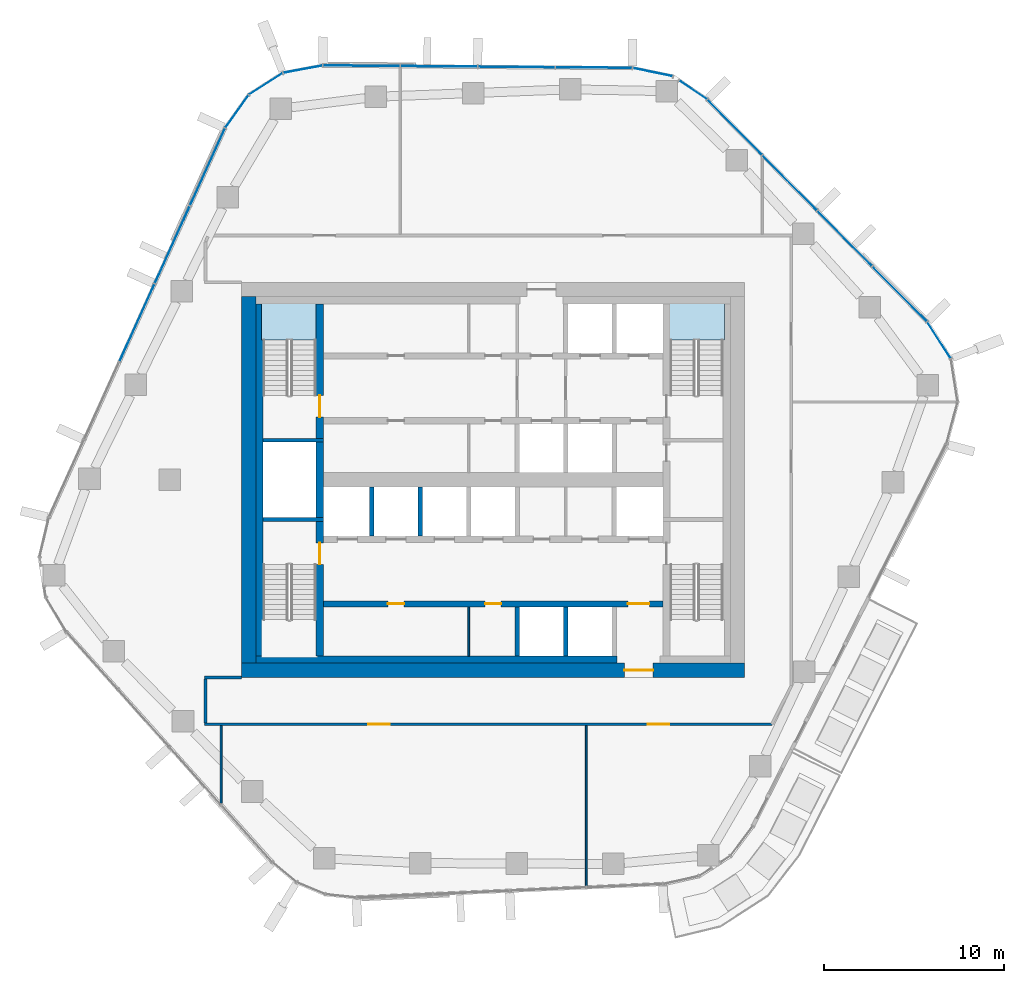
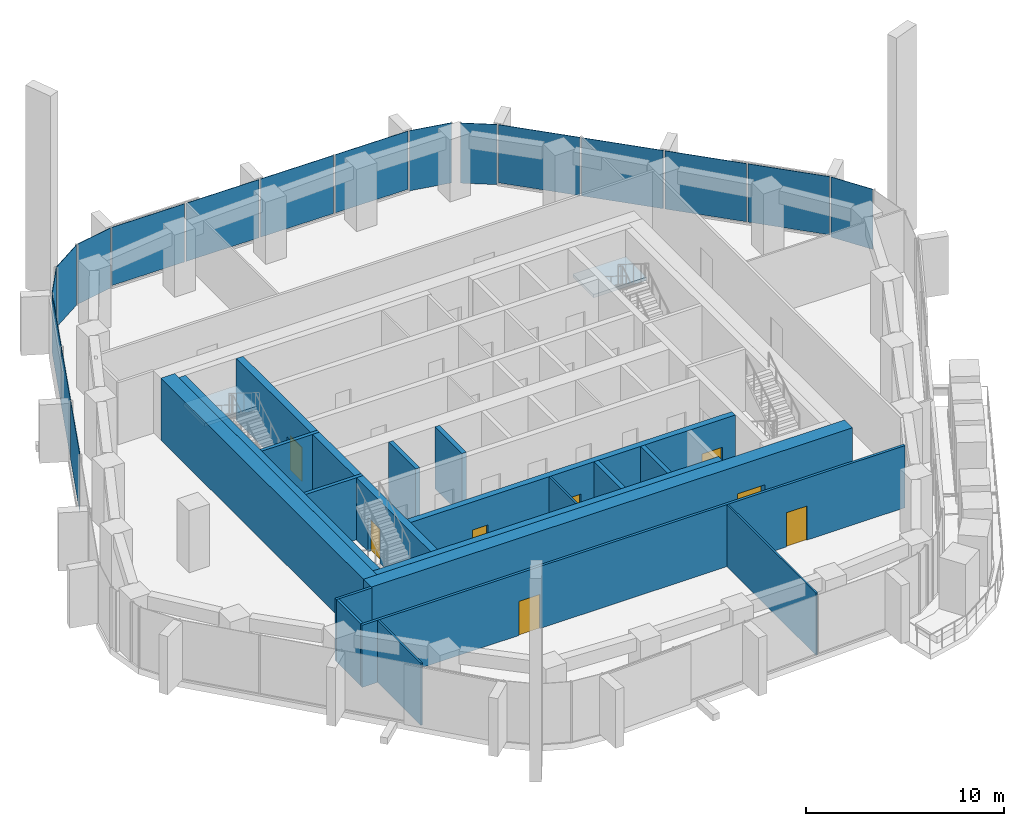
# One storey, part 10 of 18: 20 walls, 17 plates, 8 doors, 2 slabs, 8 openings, 9 elements without a shape of their own.
"""IFC4 building model written with IfcOpenShell, lengths in metres."""

from ifc_helpers import new_model, si_unit, direction, frame, frame_2d, origin, origin_2d, place, context, subcontext, project, spatial, polyline, rectangle, outline, extrude, material, layer, layer_set, type_object, element, fill, aggregate, save


model = new_model("IFC4")

# Units and contexts
model_context = context("Model", 3, precision=1e-05, world=origin(), true_north=direction((0.0, 1.0)))
body_context = subcontext(model_context, "Body", "Model", "MODEL_VIEW")
ifc_project = project(units=[si_unit("LENGTHUNIT", "METRE"), si_unit("AREAUNIT", "SQUARE_METRE"), si_unit("VOLUMEUNIT", "CUBIC_METRE"), si_unit("PLANEANGLEUNIT", "RADIAN"), si_unit("MASSUNIT", "GRAM", prefix="KILO")], contexts=[model_context])

# Site, building, storey
site_placement = place(None, origin())
site = spatial("IfcSite", under=ifc_project, at=site_placement, CompositionType="ELEMENT")
building_placement = place(site_placement, origin())
building = spatial("IfcBuilding", under=site, at=building_placement, Name="Dongbaek Canopy Tower", CompositionType="ELEMENT")
storey_placement = place(building_placement, frame((0.0, 0.0, 171.199951171875)))
storey = spatial("IfcBuildingStorey", under=building, at=storey_placement, Name="L37", CompositionType="ELEMENT", Elevation=171.199951171875)

# Curtain wall, plate
ifc_material_1 = material(Name="Aluminium 6063-T6 pale anodised", Category="aluminium")
ifc_layer_1 = layer(ifc_material_1, 0.199951171875)
ifc_layer_set_1 = layer_set([ifc_layer_1], Name="CW-1 unitised tower curtain wall")
curtain_wall_type = type_object("IfcCurtainWallType", Name="CW-1 unitised tower curtain wall", PredefinedType="NOTDEFINED", material=ifc_layer_set_1)
curtain_wall_1_placement = place(storey_placement, origin())
curtain_wall_1 = element("IfcCurtainWall", 1, at=curtain_wall_1_placement, inside=storey, type_object=curtain_wall_type, Name="CW-1 curtain wall K0.1", PredefinedType="NOTDEFINED")
ifc_material_2 = material(Name="Clear laminated glass", Category="glass")
ifc_layer_2 = layer(ifc_material_2, 0.028076171875)
ifc_layer_set_2 = layer_set([ifc_layer_2], Name="CW-1 glazed panel 28")
plate_type = type_object("IfcPlateType", Name="CW-1 glazed panel 28", PredefinedType="CURTAIN_PANEL", material=ifc_layer_set_2)
plate_1_placement = place(storey_placement, frame((24.810302734375, 7.777587890625, 0.0), z_axis=(0.0, 0.0, 1.0), x_axis=(-0.541094739105, 0.840961641998, 0.0)))
plate_1 = element("IfcPlate", 2, at=plate_1_placement, type_object=plate_type, Name="CW-1 panel K0.1.3.1", PredefinedType="CURTAIN_PANEL", context=body_context, shape_type="SweptSolid", body=[
    extrude(rectangle(XDim=2.3642578125, YDim=0.028076171875, at=origin_2d()), origin(), (0.0, 0.0, 1.0), 3.699951171875),
])
aggregate(curtain_wall_1, [plate_1])

# Curtain wall, plates
curtain_wall_2_placement = place(storey_placement, origin())
curtain_wall_2 = element("IfcCurtainWall", 3, at=curtain_wall_2_placement, inside=storey, type_object=curtain_wall_type, Name="CW-1 curtain wall F0.1", PredefinedType="NOTDEFINED")
plate_2_placement = place(storey_placement, frame((22.62158203125, 10.3505859375, 0.1201171875), z_axis=(0.0, 0.0, 1.0), x_axis=(-0.703200745857, 0.710991357912, 0.0)))
plate_2 = element("IfcPlate", 4, at=plate_2_placement, type_object=plate_type, Name="CW-1 panel F0.1.1.1", PredefinedType="CURTAIN_PANEL", context=body_context, shape_type="SweptSolid", body=[
    extrude(rectangle(XDim=4.25732421875, YDim=0.028076171875, at=origin_2d()), origin(), (0.0, 0.0, 1.0), 3.580078125),
])
plate_3_placement = place(storey_placement, frame((19.56494140625, 13.44091796875, 0.1201171875), z_axis=(0.0, 0.0, 1.0), x_axis=(-0.703200745857, 0.710991357912, 0.0)))
plate_3 = element("IfcPlate", 5, at=plate_3_placement, type_object=plate_type, Name="CW-1 panel F0.1.2.1", PredefinedType="CURTAIN_PANEL", context=body_context, shape_type="SweptSolid", body=[
    extrude(rectangle(XDim=4.267822265625, YDim=0.028076171875, at=origin_2d()), origin(), (0.0, 0.0, 1.0), 3.580078125),
])
plate_4_placement = place(storey_placement, frame((16.504638671875, 16.534912109375, 0.1201171875), z_axis=(0.0, 0.0, 1.0), x_axis=(-0.703200745857, 0.710991357912, 0.0)))
plate_4 = element("IfcPlate", 6, at=plate_4_placement, type_object=plate_type, Name="CW-1 panel F0.1.3.1", PredefinedType="CURTAIN_PANEL", context=body_context, shape_type="SweptSolid", body=[
    extrude(rectangle(XDim=4.267822265625, YDim=0.028076171875, at=origin_2d()), origin(), (0.0, 0.0, 1.0), 3.580078125),
])
plate_5_placement = place(storey_placement, frame((13.447998046875, 19.62548828125, 0.1201171875), z_axis=(0.0, 0.0, 1.0), x_axis=(-0.703200745857, 0.710991357912, 0.0)))
plate_5 = element("IfcPlate", 7, at=plate_5_placement, type_object=plate_type, Name="CW-1 panel F0.1.4.1", PredefinedType="CURTAIN_PANEL", context=body_context, shape_type="SweptSolid", body=[
    extrude(rectangle(XDim=4.258056640625, YDim=0.028076171875, at=origin_2d()), origin(), (0.0, 0.0, 1.0), 3.580078125),
])
aggregate(curtain_wall_2, [plate_2, plate_3, plate_4, plate_5])

# Curtain wall, plate
curtain_wall_3_placement = place(storey_placement, origin())
curtain_wall_3 = element("IfcCurtainWall", 8, at=curtain_wall_3_placement, inside=storey, type_object=curtain_wall_type, Name="CW-1 curtain wall K1.1a", PredefinedType="NOTDEFINED")
plate_6_placement = place(storey_placement, frame((11.130126953125, 21.704833984375, 0.0), z_axis=(0.0, 0.0, 1.0), x_axis=(-0.828068850106, 0.560626417041, 0.0)))
plate_6 = element("IfcPlate", 9, at=plate_6_placement, type_object=plate_type, Name="CW-1 panel K1.1a.1.1", PredefinedType="CURTAIN_PANEL", context=body_context, shape_type="SweptSolid", body=[
    extrude(rectangle(XDim=1.8271484375, YDim=0.028076171875, at=origin_2d()), origin(), (0.0, 0.0, 1.0), 3.699951171875),
])
aggregate(curtain_wall_3, [plate_6])

curtain_wall_4_placement = place(storey_placement, origin())
curtain_wall_4 = element("IfcCurtainWall", 10, at=curtain_wall_4_placement, inside=storey, type_object=curtain_wall_type, Name="CW-1 curtain wall K1.1b", PredefinedType="NOTDEFINED")
plate_7_placement = place(storey_placement, frame((8.884521484375, 22.694091796875, 0.0), z_axis=(0.0, 0.0, 1.0), x_axis=(-0.979342534744, 0.202208307545, 0.0)))
plate_7 = element("IfcPlate", 11, at=plate_7_placement, type_object=plate_type, Name="CW-1 panel K1.1b.1.1", PredefinedType="CURTAIN_PANEL", context=body_context, shape_type="SweptSolid", body=[
    extrude(rectangle(XDim=2.220458984375, YDim=0.028076171875, at=origin_2d()), origin(), (0.0, 0.0, 1.0), 3.699951171875),
])
aggregate(curtain_wall_4, [plate_7])

# Curtain wall, plates
curtain_wall_5_placement = place(storey_placement, origin())
curtain_wall_5 = element("IfcCurtainWall", 12, at=curtain_wall_5_placement, inside=storey, type_object=curtain_wall_type, Name="CW-1 curtain wall F1.1", PredefinedType="NOTDEFINED")
plate_8_placement = place(storey_placement, frame((5.6044921875, 22.944091796875, 0.1201171875), z_axis=(0.0, 0.0, 1.0), x_axis=(-0.999969209426, 0.007847305301, 0.0)))
plate_8 = element("IfcPlate", 13, at=plate_8_placement, type_object=plate_type, Name="CW-1 panel F1.1.1.1", PredefinedType="CURTAIN_PANEL", context=body_context, shape_type="SweptSolid", body=[
    extrude(rectangle(XDim=4.219482421875, YDim=0.028076171875, at=origin_2d()), origin(), (0.0, 0.0, 1.0), 3.580078125),
])
plate_9_placement = place(storey_placement, frame((1.296142578125, 22.977783203125, 0.1201171875), z_axis=(0.0, 0.0, 1.0), x_axis=(-0.999969209426, 0.007847305301, 0.0)))
plate_9 = element("IfcPlate", 14, at=plate_9_placement, type_object=plate_type, Name="CW-1 panel F1.1.2.1", PredefinedType="CURTAIN_PANEL", context=body_context, shape_type="SweptSolid", body=[
    extrude(rectangle(XDim=4.229248046875, YDim=0.028076171875, at=origin_2d()), origin(), (0.0, 0.0, 1.0), 3.580078125),
])
plate_10_placement = place(storey_placement, frame((-3.016845703125, 23.01171875, 0.1201171875), z_axis=(0.0, 0.0, 1.0), x_axis=(-0.999969209426, 0.007847305301, 0.0)))
plate_10 = element("IfcPlate", 15, at=plate_10_placement, type_object=plate_type, Name="CW-1 panel F1.1.3.1", PredefinedType="CURTAIN_PANEL", context=body_context, shape_type="SweptSolid", body=[
    extrude(rectangle(XDim=4.229248046875, YDim=0.028076171875, at=origin_2d()), origin(), (0.0, 0.0, 1.0), 3.580078125),
])
plate_11_placement = place(storey_placement, frame((-7.3251953125, 23.04541015625, 0.1201171875), z_axis=(0.0, 0.0, 1.0), x_axis=(-0.999969209426, 0.007847305301, 0.0)))
plate_11 = element("IfcPlate", 16, at=plate_11_placement, type_object=plate_type, Name="CW-1 panel F1.1.4.1", PredefinedType="CURTAIN_PANEL", context=body_context, shape_type="SweptSolid", body=[
    extrude(rectangle(XDim=4.219482421875, YDim=0.028076171875, at=origin_2d()), origin(), (0.0, 0.0, 1.0), 3.580078125),
])
aggregate(curtain_wall_5, [plate_8, plate_9, plate_10, plate_11])

curtain_wall_6_placement = place(storey_placement, origin())
curtain_wall_6 = element("IfcCurtainWall", 17, at=curtain_wall_6_placement, inside=storey, type_object=curtain_wall_type, Name="CW-1 curtain wall K2.1", PredefinedType="NOTDEFINED")
plate_12_placement = place(storey_placement, frame((-10.58984375, 22.854736328125, 0.0), z_axis=(0.0, 0.0, 1.0), x_axis=(-0.983033498576, -0.183426117763, 0.0)))
plate_12 = element("IfcPlate", 18, at=plate_12_placement, type_object=plate_type, Name="CW-1 panel K2.1.1.1", PredefinedType="CURTAIN_PANEL", context=body_context, shape_type="SweptSolid", body=[
    extrude(rectangle(XDim=2.180419921875, YDim=0.028076171875, at=origin_2d()), origin(), (0.0, 0.0, 1.0), 3.699951171875),
])
plate_13_placement = place(storey_placement, frame((-12.652587890625, 22.03955078125, 0.0), z_axis=(0.0, 0.0, 1.0), x_axis=(-0.842382800388, -0.538879594724, 0.0)))
plate_13 = element("IfcPlate", 19, at=plate_13_placement, type_object=plate_type, Name="CW-1 panel K2.1.2.1", PredefinedType="CURTAIN_PANEL", context=body_context, shape_type="SweptSolid", body=[
    extrude(rectangle(XDim=2.170654296875, YDim=0.028076171875, at=origin_2d()), origin(), (0.0, 0.0, 1.0), 3.699951171875),
])
plate_14_placement = place(storey_placement, frame((-14.25732421875, 20.508544921875, 0.0), z_axis=(0.0, 0.0, 1.0), x_axis=(-0.578634877813, -0.815586707946, 0.0)))
plate_14 = element("IfcPlate", 20, at=plate_14_placement, type_object=plate_type, Name="CW-1 panel K2.1.3.1", PredefinedType="CURTAIN_PANEL", context=body_context, shape_type="SweptSolid", body=[
    extrude(rectangle(XDim=2.180419921875, YDim=0.028076171875, at=origin_2d()), origin(), (0.0, 0.0, 1.0), 3.699951171875),
])
aggregate(curtain_wall_6, [plate_12, plate_13, plate_14])

curtain_wall_7_placement = place(storey_placement, origin())
curtain_wall_7 = element("IfcCurtainWall", 21, at=curtain_wall_7_placement, inside=storey, type_object=curtain_wall_type, Name="CW-1 curtain wall F2.1", PredefinedType="NOTDEFINED")
plate_15_placement = place(storey_placement, frame((-15.8916015625, 17.420654296875, 0.1201171875), z_axis=(0.0, 0.0, 1.0), x_axis=(-0.412080199763, -0.911147578037, 0.0)))
plate_15 = element("IfcPlate", 22, at=plate_15_placement, type_object=plate_type, Name="CW-1 panel F2.1.1.1", PredefinedType="CURTAIN_PANEL", context=body_context, shape_type="SweptSolid", body=[
    extrude(rectangle(XDim=4.667236328125, YDim=0.028076171875, at=origin_2d()), origin(), (0.0, 0.0, 1.0), 3.580078125),
])
plate_16_placement = place(storey_placement, frame((-17.8515625, 13.0869140625, 0.1201171875), z_axis=(0.0, 0.0, 1.0), x_axis=(-0.412080199763, -0.911147578037, 0.0)))
plate_16 = element("IfcPlate", 23, at=plate_16_placement, type_object=plate_type, Name="CW-1 panel F2.1.2.1", PredefinedType="CURTAIN_PANEL", context=body_context, shape_type="SweptSolid", body=[
    extrude(rectangle(XDim=4.677001953125, YDim=0.028076171875, at=origin_2d()), origin(), (0.0, 0.0, 1.0), 3.580078125),
])
plate_17_placement = place(storey_placement, frame((-19.8134765625, 8.7490234375, 0.1201171875), z_axis=(0.0, 0.0, 1.0), x_axis=(-0.412080199763, -0.911147578037, 0.0)))
plate_17 = element("IfcPlate", 24, at=plate_17_placement, type_object=plate_type, Name="CW-1 panel F2.1.3.1", PredefinedType="CURTAIN_PANEL", context=body_context, shape_type="SweptSolid", body=[
    extrude(rectangle(XDim=4.677001953125, YDim=0.028076171875, at=origin_2d()), origin(), (0.0, 0.0, 1.0), 3.580078125),
])
aggregate(curtain_wall_7, [plate_15, plate_16, plate_17])

# Stair, slab
ifc_material_3 = material(Name="Concrete C40/50", Category="concrete")
stair_type = type_object("IfcStairType", Name="Core exit stair", PredefinedType="HALF_TURN_STAIR", material=ifc_material_3)
stair_1_placement = place(storey_placement, origin())
stair_1 = element("IfcStair", 25, at=stair_1_placement, inside=storey, type_object=stair_type, Name="L37 exit stair A", PredefinedType="HALF_TURN_STAIR")
ifc_material_4 = material(Name="Concrete C40/50", Category="concrete")
ifc_layer_3 = layer(ifc_material_4, 0.199951171875)
ifc_layer_set_3 = layer_set([ifc_layer_3], Name="Core stair landing 200")
slab_type = type_object("IfcSlabType", Name="Core stair landing 200", PredefinedType="LANDING", material=ifc_layer_set_3)
slab_1_placement = place(storey_placement, frame((0.0, 0.0, 1.900146484375)))
slab_1 = element("IfcSlab", 26, at=slab_1_placement, type_object=slab_type, Name="ST-A landing 1", PredefinedType="LANDING", context=body_context, shape_type="SweptSolid", body=[
    extrude(outline(polyline([(12.875, 7.780029296875), (12.875, 9.875), (9.77490234375, 9.875), (9.77490234375, 7.780029296875), (12.875, 7.780029296875)])), origin(), (0.0, 0.0, 1.0), 0.199951171875),
])
aggregate(stair_1, [slab_1])

stair_2_placement = place(storey_placement, origin())
stair_2 = element("IfcStair", 27, at=stair_2_placement, inside=storey, type_object=stair_type, Name="L37 exit stair C", PredefinedType="HALF_TURN_STAIR")
slab_2_placement = place(storey_placement, frame((0.0, 0.0, 1.900146484375)))
slab_2 = element("IfcSlab", 28, at=slab_2_placement, type_object=slab_type, Name="ST-C landing 1", PredefinedType="LANDING", context=body_context, shape_type="SweptSolid", body=[
    extrude(outline(polyline([(-9.77490234375, 7.780029296875), (-9.77490234375, 9.875), (-12.875, 9.875), (-12.875, 7.780029296875), (-9.77490234375, 7.780029296875)])), origin(), (0.0, 0.0, 1.0), 0.199951171875),
])
aggregate(stair_2, [slab_2])

# Wall, openings, doors
ifc_material_5 = material(Name="Concrete C60/75", Category="concrete")
ifc_layer_4 = layer(ifc_material_5, 0.35009765625)
ifc_layer_set_4 = layer_set([ifc_layer_4], Name="Core lobby wall 350 Concrete C60/75")
wall_type_1 = type_object("IfcWallType", Name="Core lobby wall 350 Concrete C60/75", PredefinedType="SHEAR", material=ifc_layer_set_4)
wall_1_placement = place(storey_placement, frame((9.449951171875, -6.89990234375, 0.0), z_axis=(0.0, 0.0, 1.0), x_axis=(-1.0, 0.0, 0.0)))
wall_1 = element("IfcWall", 29, at=wall_1_placement, inside=storey, type_object=wall_type_1, Name="Core wall", PredefinedType="SHEAR", context=body_context, shape_type="SweptSolid", body=[
    extrude(rectangle(XDim=18.89990234375, YDim=0.35009765625, at=frame_2d((9.449951171875, 0.0))), origin(), (0.0, 0.0, 1.0), 3.820068359375),
])
opening_1_placement = place(wall_1_placement, frame((0.75, 0.0, 0.0)))
opening_1 = element("IfcOpeningElement", 30, at=opening_1_placement, cuts=wall_1, Name="Opening L37-D021", PredefinedType="OPENING", context=body_context, shape_type="SweptSolid", body=[
    extrude(rectangle(XDim=1.199951171875, YDim=2.10009765625, at=frame_2d((0.60009765625, 1.050048828125))), frame((0.0, 0.18505859375, 0.0), z_axis=(0.0, -1.0, 0.0), x_axis=(1.0, 0.0, 0.0)), (0.0, 0.0, 1.0), 0.3701171875),
])
opening_2_placement = place(wall_1_placement, frame((14.39990234375, 0.0, 0.0)))
opening_2 = element("IfcOpeningElement", 31, at=opening_2_placement, cuts=wall_1, Name="Opening L37-D028", PredefinedType="OPENING", context=body_context, shape_type="SweptSolid", body=[
    extrude(rectangle(XDim=0.89990234375, YDim=2.10009765625, at=frame_2d((0.449951171875, 1.050048828125))), frame((0.0, 0.18505859375, 0.0), z_axis=(0.0, -1.0, 0.0), x_axis=(1.0, 0.0, 0.0)), (0.0, 0.0, 1.0), 0.3701171875),
])
opening_3_placement = place(wall_1_placement, frame((9.0, 0.0, 0.0)))
opening_3 = element("IfcOpeningElement", 32, at=opening_3_placement, cuts=wall_1, Name="Opening L37-D029", PredefinedType="OPENING", context=body_context, shape_type="SweptSolid", body=[
    extrude(rectangle(XDim=0.89990234375, YDim=2.10009765625, at=frame_2d((0.449951171875, 1.050048828125))), frame((0.0, 0.18505859375, 0.0), z_axis=(0.0, -1.0, 0.0), x_axis=(1.0, 0.0, 0.0)), (0.0, 0.0, 1.0), 0.3701171875),
])
ifc_material_6 = material(Name="Steel", Category="steel")
door_type_1 = type_object("IfcDoorType", Name="Core room door 900 x 2100", OperationType="SINGLE_SWING_LEFT", PredefinedType="DOOR", material=ifc_material_6)
door_1_placement = place(opening_2_placement, origin())
door_1 = element("IfcDoor", 33, at=door_1_placement, inside=storey, type_object=door_type_1, Name="Door L37-D028", OperationType="SINGLE_SWING_RIGHT", OverallHeight=2.10009765625, OverallWidth=0.89990234375, PredefinedType="DOOR", context=body_context, shape_type="SweptSolid", body=[
    extrude(rectangle(XDim=0.89990234375, YDim=2.10009765625, at=frame_2d((0.449951171875, 1.050048828125))), frame((0.0, 0.02490234375, 0.0), z_axis=(0.0, -1.0, 0.0), x_axis=(1.0, 0.0, 0.0)), (0.0, 0.0, 1.0), 0.050048828125),
])
fill(opening_2, door_1)
door_2_placement = place(opening_3_placement, origin())
door_2 = element("IfcDoor", 34, at=door_2_placement, inside=storey, type_object=door_type_1, Name="Door L37-D029", OperationType="SINGLE_SWING_LEFT", OverallHeight=2.10009765625, OverallWidth=0.89990234375, PredefinedType="DOOR", context=body_context, shape_type="SweptSolid", body=[
    extrude(rectangle(XDim=0.89990234375, YDim=2.10009765625, at=frame_2d((0.449951171875, 1.050048828125))), frame((0.0, 0.02490234375, 0.0), z_axis=(0.0, -1.0, 0.0), x_axis=(1.0, 0.0, 0.0)), (0.0, 0.0, 1.0), 0.050048828125),
])
fill(opening_3, door_2)
ifc_material_7 = material(Name="Steel", Category="steel")
door_type_2 = type_object("IfcDoorType", Name="Fire lobby door 1200 x 2100", OperationType="SINGLE_SWING_LEFT", PredefinedType="DOOR", material=ifc_material_7)
door_3_placement = place(opening_1_placement, origin())
door_3 = element("IfcDoor", 35, at=door_3_placement, inside=storey, type_object=door_type_2, Name="Door L37-D021", OperationType="SINGLE_SWING_LEFT", OverallHeight=2.10009765625, OverallWidth=1.199951171875, PredefinedType="DOOR", context=body_context, shape_type="SweptSolid", body=[
    extrude(rectangle(XDim=1.199951171875, YDim=2.10009765625, at=frame_2d((0.60009765625, 1.050048828125))), frame((0.0, 0.02490234375, 0.0), z_axis=(0.0, -1.0, 0.0), x_axis=(1.0, 0.0, 0.0)), (0.0, 0.0, 1.0), 0.050048828125),
])
fill(opening_1, door_3)

# Wall, opening, door
ifc_material_8 = material(Name="Concrete C70/85", Category="concrete")
ifc_layer_5 = layer(ifc_material_8, 0.800048828125)
ifc_layer_set_5 = layer_set([ifc_layer_5], Name="Core outer wall 800 Concrete C70/85")
wall_type_2 = type_object("IfcWallType", Name="Core outer wall 800 Concrete C70/85", PredefinedType="SHEAR", material=ifc_layer_set_5)
wall_2_placement = place(storey_placement, frame((14.0, -10.60009765625, 0.0), z_axis=(0.0, 0.0, 1.0), x_axis=(-1.0, 0.0, 0.0)))
wall_2 = element("IfcWall", 36, at=wall_2_placement, inside=storey, type_object=wall_type_2, Name="Core wall", PredefinedType="SHEAR", context=body_context, shape_type="SweptSolid", body=[
    extrude(rectangle(XDim=28.0, YDim=0.800048828125, at=frame_2d((14.0, 0.0))), origin(), (0.0, 0.0, 1.0), 3.820068359375),
])
opening_4_placement = place(wall_2_placement, frame((5.10009765625, 0.0, 0.0)))
opening_4 = element("IfcOpeningElement", 37, at=opening_4_placement, cuts=wall_2, Name="Opening L37-D020", PredefinedType="OPENING", context=body_context, shape_type="SweptSolid", body=[
    extrude(rectangle(XDim=1.60009765625, YDim=2.10009765625, at=frame_2d((0.800048828125, 1.050048828125))), frame((0.0, 0.409912109375, 0.0), z_axis=(0.0, -1.0, 0.0), x_axis=(1.0, 0.0, 0.0)), (0.0, 0.0, 1.0), 0.820068359375),
])
ifc_material_9 = material(Name="Steel", Category="steel")
door_type_3 = type_object("IfcDoorType", Name="Core exit door 1600 x 2100", OperationType="DOUBLE_DOOR_SINGLE_SWING", PredefinedType="DOOR", material=ifc_material_9)
door_4_placement = place(opening_4_placement, origin())
door_4 = element("IfcDoor", 38, at=door_4_placement, inside=storey, type_object=door_type_3, Name="Core exit door", OperationType="DOUBLE_DOOR_SINGLE_SWING", OverallHeight=2.10009765625, OverallWidth=1.60009765625, PredefinedType="DOOR", context=body_context, shape_type="SweptSolid", body=[
    extrude(rectangle(XDim=1.60009765625, YDim=2.10009765625, at=frame_2d((0.800048828125, 1.050048828125))), frame((0.0, 0.02490234375, 0.0), z_axis=(0.0, -1.0, 0.0), x_axis=(1.0, 0.0, 0.0)), (0.0, 0.0, 1.0), 0.050048828125),
])
fill(opening_4, door_4)

# Walls
wall_3_placement = place(storey_placement, frame((-13.60009765625, -10.199951171875, 0.0), z_axis=(0.0, 0.0, 1.0), x_axis=(0.0, 1.0, 0.0)))
element("IfcWall", 39, at=wall_3_placement, inside=storey, type_object=wall_type_2, Name="Core wall", PredefinedType="SHEAR", context=body_context, shape_type="SweptSolid", body=[
    extrude(rectangle(XDim=20.39990234375, YDim=0.800048828125, at=frame_2d((10.199951171875, 0.0))), origin(), (0.0, 0.0, 1.0), 3.820068359375),
])
ifc_material_10 = material(Name="Concrete C60/75", Category="concrete")
ifc_layer_6 = layer(ifc_material_10, 0.39990234375)
ifc_layer_set_6 = layer_set([ifc_layer_6], Name="Core wall lining 400 Concrete C60/75")
wall_type_3 = type_object("IfcWallType", Name="Core wall lining 400 Concrete C60/75", PredefinedType="SHEAR", material=ifc_layer_set_6)
wall_4_placement = place(storey_placement, frame((6.89990234375, -10.0, 0.0), z_axis=(0.0, 0.0, 1.0), x_axis=(-1.0, 0.0, 0.0)))
element("IfcWall", 40, at=wall_4_placement, inside=storey, type_object=wall_type_3, Name="Core wall lining", PredefinedType="SHEAR", context=body_context, shape_type="SweptSolid", body=[
    extrude(rectangle(XDim=20.099853515625, YDim=0.39990234375, at=frame_2d((10.0498046875, 0.0))), origin(), (0.0, 0.0, 1.0), 3.820068359375),
])
wall_5_placement = place(storey_placement, frame((-13.0, -9.800048828125, 0.0), z_axis=(0.0, 0.0, 1.0), x_axis=(0.0, 1.0, 0.0)))
element("IfcWall", 41, at=wall_5_placement, inside=storey, type_object=wall_type_3, Name="Core wall lining", PredefinedType="SHEAR", context=body_context, shape_type="SweptSolid", body=[
    extrude(rectangle(XDim=19.60009765625, YDim=0.39990234375, at=frame_2d((9.800048828125, 0.0))), origin(), (0.0, 0.0, 1.0), 3.820068359375),
])

# Wall, openings, doors
ifc_material_11 = material(Name="Gypsum board partition, steel stud, 2 x 15 mm fire board", Category="steel")
ifc_layer_7 = layer(ifc_material_11, 0.14990234375)
ifc_layer_set_7 = layer_set([ifc_layer_7], Name="Fire-rated partition 150 gypsum board")
wall_type_4 = type_object("IfcWallType", Name="Fire-rated partition 150 gypsum board", PredefinedType="PARTITIONING", material=ifc_layer_set_7)
wall_6_placement = place(storey_placement, frame((15.51025390625, -13.60009765625, 0.0), z_axis=(0.0, 0.0, 1.0), x_axis=(-1.0, 0.0, 0.0)))
wall_6 = element("IfcWall", 42, at=wall_6_placement, inside=storey, type_object=wall_type_4, Name="Corridor partition", PredefinedType="PARTITIONING", context=body_context, shape_type="SweptSolid", body=[
    extrude(rectangle(XDim=31.585205078125, YDim=0.14990234375, at=frame_2d((15.79248046875, 0.0))), origin(), (0.0, 0.0, 1.0), 3.820068359375),
])
opening_5_placement = place(wall_6_placement, frame((21.252685546875, 0.0, 0.0)))
opening_5 = element("IfcOpeningElement", 43, at=opening_5_placement, cuts=wall_6, Name="Opening L37-D001", PredefinedType="OPENING", context=body_context, shape_type="SweptSolid", body=[
    extrude(rectangle(XDim=1.199951171875, YDim=2.10009765625, at=frame_2d((0.60009765625, 1.050048828125))), frame((0.0, 0.0849609375, 0.0), z_axis=(0.0, -1.0, 0.0), x_axis=(1.0, 0.0, 0.0)), (0.0, 0.0, 1.0), 0.169921875),
])
opening_6_placement = place(wall_6_placement, frame((5.715087890625, 0.0, 0.0)))
opening_6 = element("IfcOpeningElement", 44, at=opening_6_placement, cuts=wall_6, Name="Opening L37-D002", PredefinedType="OPENING", context=body_context, shape_type="SweptSolid", body=[
    extrude(rectangle(XDim=1.199951171875, YDim=2.10009765625, at=frame_2d((0.60009765625, 1.050048828125))), frame((0.0, 0.0849609375, 0.0), z_axis=(0.0, -1.0, 0.0), x_axis=(1.0, 0.0, 0.0)), (0.0, 0.0, 1.0), 0.169921875),
])
ifc_material_12 = material(Name="Timber veneered door leaf", Category="wood")
door_type_4 = type_object("IfcDoorType", Name="Room door 1200 x 2100", OperationType="SINGLE_SWING_LEFT", PredefinedType="DOOR", material=ifc_material_12)
door_5_placement = place(opening_5_placement, origin())
door_5 = element("IfcDoor", 45, at=door_5_placement, inside=storey, type_object=door_type_4, Name="Door L37-D001", OperationType="SINGLE_SWING_RIGHT", OverallHeight=2.10009765625, OverallWidth=1.199951171875, PredefinedType="DOOR", context=body_context, shape_type="SweptSolid", body=[
    extrude(rectangle(XDim=1.199951171875, YDim=2.10009765625, at=frame_2d((0.60009765625, 1.050048828125))), frame((0.0, 0.02490234375, 0.0), z_axis=(0.0, -1.0, 0.0), x_axis=(1.0, 0.0, 0.0)), (0.0, 0.0, 1.0), 0.050048828125),
])
fill(opening_5, door_5)
door_6_placement = place(opening_6_placement, origin())
door_6 = element("IfcDoor", 46, at=door_6_placement, inside=storey, type_object=door_type_4, Name="Door L37-D002", OperationType="SINGLE_SWING_LEFT", OverallHeight=2.10009765625, OverallWidth=1.199951171875, PredefinedType="DOOR", context=body_context, shape_type="SweptSolid", body=[
    extrude(rectangle(XDim=1.199951171875, YDim=2.10009765625, at=frame_2d((0.60009765625, 1.050048828125))), frame((0.0, 0.02490234375, 0.0), z_axis=(0.0, -1.0, 0.0), x_axis=(1.0, 0.0, 0.0)), (0.0, 0.0, 1.0), 0.050048828125),
])
fill(opening_6, door_6)

# Walls
wall_7_placement = place(storey_placement, frame((-16.074951171875, -10.9970703125, 0.0), z_axis=(0.0, 0.0, 1.0), x_axis=(1.0, 0.0, 0.0)))
element("IfcWall", 47, at=wall_7_placement, inside=storey, type_object=wall_type_4, Name="Corridor partition", PredefinedType="PARTITIONING", context=body_context, shape_type="SweptSolid", body=[
    extrude(rectangle(XDim=2.074951171875, YDim=0.14990234375, at=frame_2d((1.03759765625, 0.0))), origin(), (0.0, 0.0, 1.0), 3.820068359375),
])
wall_8_placement = place(storey_placement, frame((-16.0, -13.52490234375, 0.0), z_axis=(0.0, 0.0, 1.0), x_axis=(0.0, 1.0, 0.0)))
element("IfcWall", 48, at=wall_8_placement, inside=storey, type_object=wall_type_4, Name="Corridor partition", PredefinedType="PARTITIONING", context=body_context, shape_type="SweptSolid", body=[
    extrude(rectangle(XDim=2.452880859375, YDim=0.14990234375, at=frame_2d((1.2265625, 0.0))), origin(), (0.0, 0.0, 1.0), 3.820068359375),
])
ifc_material_13 = material(Name="Concrete C40/50", Category="concrete")
ifc_layer_8 = layer(ifc_material_13, 0.25)
ifc_layer_set_8 = layer_set([ifc_layer_8], Name="Lift shaft wall 250 Concrete C40/50")
wall_type_5 = type_object("IfcWallType", Name="Lift shaft wall 250 Concrete C40/50", PredefinedType="SOLIDWALL", material=ifc_layer_set_8)
for number, where, z_axis, x_axis, name in (
    (49, (4.050048828125, -9.800048828125, 0.0), (0.0, 0.0, 1.0), (0.0, 1.0, 0.0), "Lift shaft wall"),
    (50, (1.35009765625, -9.800048828125, 0.0), (0.0, 0.0, 1.0), (0.0, 1.0, 0.0), "Lift shaft wall"),
    (51, (-4.050048828125, -3.125, 0.0), (0.0, 0.0, 1.0), (0.0, 1.0, 0.0), "Lift shaft wall"),
    (52, (-6.75, -3.125, 0.0), (0.0, 0.0, 1.0), (0.0, 1.0, 0.0), "Lift shaft wall"),
):
    element("IfcWall", number, at=place(storey_placement, frame(where, z_axis=z_axis, x_axis=x_axis)), inside=storey, type_object=wall_type_5, Name=name, PredefinedType="SOLIDWALL", context=body_context, shape_type="SweptSolid", body=[
        extrude(rectangle(XDim=2.72509765625, YDim=0.25, at=frame_2d((1.362548828125, 0.0))), origin(), (0.0, 0.0, 1.0), 3.820068359375),
    ])
ifc_material_14 = material(Name="Gypsum board partition, steel stud, 2 x 12.5 mm board", Category="steel")
ifc_layer_9 = layer(ifc_material_14, 0.10009765625)
ifc_layer_set_9 = layer_set([ifc_layer_9], Name="Partition 100 gypsum board")
wall_type_6 = type_object("IfcWallType", Name="Partition 100 gypsum board", PredefinedType="PARTITIONING", material=ifc_layer_set_9)
wall_9_placement = place(storey_placement, frame((5.18310546875, -22.66259765625, 0.0), z_axis=(0.0, 0.0, 1.0), x_axis=(0.0, 1.0, 0.0)))
element("IfcWall", 53, at=wall_9_placement, inside=storey, type_object=wall_type_6, Name="Partition", PredefinedType="PARTITIONING", context=body_context, shape_type="SweptSolid", body=[
    extrude(rectangle(XDim=8.987548828125, YDim=0.10009765625, at=frame_2d((4.49365234375, 0.0))), origin(), (0.0, 0.0, 1.0), 3.820068359375),
])
wall_10_placement = place(storey_placement, frame((-15.135009765625, -18.04638671875, 0.0), z_axis=(0.0, 0.0, 1.0), x_axis=(0.0, 1.0, 0.0)))
element("IfcWall", 54, at=wall_10_placement, inside=storey, type_object=wall_type_6, Name="Partition", PredefinedType="PARTITIONING", context=body_context, shape_type="SweptSolid", body=[
    extrude(rectangle(XDim=4.371337890625, YDim=0.10009765625, at=frame_2d((2.185546875, 0.0))), origin(), (0.0, 0.0, 1.0), 3.820068359375),
])
wall_11_placement = place(storey_placement, frame((-1.35009765625, -9.800048828125, 0.0), z_axis=(0.0, 0.0, 1.0), x_axis=(0.0, 1.0, 0.0)))
element("IfcWall", 55, at=wall_11_placement, inside=storey, type_object=wall_type_6, Name="Core partition", PredefinedType="PARTITIONING", context=body_context, shape_type="SweptSolid", body=[
    extrude(rectangle(XDim=2.72509765625, YDim=0.10009765625, at=frame_2d((1.362548828125, 0.0))), origin(), (0.0, 0.0, 1.0), 3.820068359375),
])
ifc_material_15 = material(Name="Concrete C60/75", Category="concrete")
ifc_layer_10 = layer(ifc_material_15, 0.199951171875)
ifc_layer_set_10 = layer_set([ifc_layer_10], Name="Riser wall 200 Concrete C60/75")
wall_type_7 = type_object("IfcWallType", Name="Riser wall 200 Concrete C60/75", PredefinedType="SHEAR", material=ifc_layer_set_10)
for number, where, z_axis, x_axis, name in (
    (56, (-9.449951171875, 2.199951171875, 0.0), (0.0, 0.0, 1.0), (-1.0, 0.0, 0.0), "Riser wall"),
    (57, (-9.449951171875, -2.199951171875, 0.0), (0.0, 0.0, 1.0), (-1.0, 0.0, 0.0), "Riser wall"),
):
    element("IfcWall", number, at=place(storey_placement, frame(where, z_axis=z_axis, x_axis=x_axis)), inside=storey, type_object=wall_type_7, Name=name, PredefinedType="SHEAR", context=body_context, shape_type="SweptSolid", body=[
        extrude(rectangle(XDim=3.35009765625, YDim=0.199951171875, at=frame_2d((1.675048828125, 0.0))), origin(), (0.0, 0.0, 1.0), 3.820068359375),
    ])

# Wall, opening, door
ifc_material_16 = material(Name="Concrete C60/75", Category="concrete")
ifc_layer_11 = layer(ifc_material_16, 0.39990234375)
ifc_layer_set_11 = layer_set([ifc_layer_11], Name="Stair wall 400 Concrete C60/75")
wall_type_8 = type_object("IfcWallType", Name="Stair wall 400 Concrete C60/75", PredefinedType="SHEAR", material=ifc_layer_set_11)
wall_12_placement = place(storey_placement, frame((-9.64990234375, -9.800048828125, 0.0), z_axis=(0.0, 0.0, 1.0), x_axis=(0.0, 1.0, 0.0)))
wall_12 = element("IfcWall", 58, at=wall_12_placement, inside=storey, type_object=wall_type_8, Name="Stair wall", PredefinedType="SHEAR", context=body_context, shape_type="SweptSolid", body=[
    extrude(rectangle(XDim=7.5, YDim=0.39990234375, at=frame_2d((3.75, 0.0))), origin(), (0.0, 0.0, 1.0), 3.820068359375),
])
opening_7_placement = place(wall_12_placement, frame((5.10009765625, 0.0, 0.0)))
opening_7 = element("IfcOpeningElement", 59, at=opening_7_placement, cuts=wall_12, Name="Opening L37-D033", PredefinedType="OPENING", context=body_context, shape_type="SweptSolid", body=[
    extrude(rectangle(XDim=1.199951171875, YDim=2.10009765625, at=frame_2d((0.60009765625, 1.050048828125))), frame((0.0, 0.2099609375, 0.0), z_axis=(0.0, -1.0, 0.0), x_axis=(1.0, 0.0, 0.0)), (0.0, 0.0, 1.0), 0.419921875),
])
ifc_material_17 = material(Name="Steel", Category="steel")
door_type_5 = type_object("IfcDoorType", Name="Stair door 1200 x 2100", OperationType="SINGLE_SWING_LEFT", PredefinedType="DOOR", material=ifc_material_17)
door_7_placement = place(opening_7_placement, origin())
door_7 = element("IfcDoor", 60, at=door_7_placement, inside=storey, type_object=door_type_5, Name="Stair D door", OperationType="SINGLE_SWING_LEFT", OverallHeight=2.10009765625, OverallWidth=1.199951171875, PredefinedType="DOOR", context=body_context, shape_type="SweptSolid", body=[
    extrude(rectangle(XDim=1.199951171875, YDim=2.10009765625, at=frame_2d((0.60009765625, 1.050048828125))), frame((0.0, 0.02490234375, 0.0), z_axis=(0.0, -1.0, 0.0), x_axis=(1.0, 0.0, 0.0)), (0.0, 0.0, 1.0), 0.050048828125),
])
fill(opening_7, door_7)

# Wall
wall_13_placement = place(storey_placement, frame((-9.64990234375, -2.10009765625, 0.0), z_axis=(0.0, 0.0, 1.0), x_axis=(0.0, 1.0, 0.0)))
element("IfcWall", 61, at=wall_13_placement, inside=storey, type_object=wall_type_8, Name="Stair wall", PredefinedType="SHEAR", context=body_context, shape_type="SweptSolid", body=[
    extrude(rectangle(XDim=4.2001953125, YDim=0.39990234375, at=frame_2d((2.10009765625, 0.0))), origin(), (0.0, 0.0, 1.0), 3.820068359375),
])

# Wall, opening, door
wall_14_placement = place(storey_placement, frame((-9.64990234375, 2.300048828125, 0.0), z_axis=(0.0, 0.0, 1.0), x_axis=(0.0, 1.0, 0.0)))
wall_14 = element("IfcWall", 62, at=wall_14_placement, inside=storey, type_object=wall_type_8, Name="Stair wall", PredefinedType="SHEAR", context=body_context, shape_type="SweptSolid", body=[
    extrude(rectangle(XDim=7.5, YDim=0.39990234375, at=frame_2d((3.75, 0.0))), origin(), (0.0, 0.0, 1.0), 3.820068359375),
])
opening_8_placement = place(wall_14_placement, frame((1.199951171875, 0.0, 0.0)))
opening_8 = element("IfcOpeningElement", 63, at=opening_8_placement, cuts=wall_14, Name="Opening L37-D031", PredefinedType="OPENING", context=body_context, shape_type="SweptSolid", body=[
    extrude(rectangle(XDim=1.199951171875, YDim=2.10009765625, at=frame_2d((0.60009765625, 1.050048828125))), frame((0.0, 0.2099609375, 0.0), z_axis=(0.0, -1.0, 0.0), x_axis=(1.0, 0.0, 0.0)), (0.0, 0.0, 1.0), 0.419921875),
])
door_8_placement = place(opening_8_placement, origin())
door_8 = element("IfcDoor", 64, at=door_8_placement, inside=storey, type_object=door_type_5, Name="Stair C door", OperationType="SINGLE_SWING_RIGHT", OverallHeight=2.10009765625, OverallWidth=1.199951171875, PredefinedType="DOOR", context=body_context, shape_type="SweptSolid", body=[
    extrude(rectangle(XDim=1.199951171875, YDim=2.10009765625, at=frame_2d((0.60009765625, 1.050048828125))), frame((0.0, 0.02490234375, 0.0), z_axis=(0.0, -1.0, 0.0), x_axis=(1.0, 0.0, 0.0)), (0.0, 0.0, 1.0), 0.050048828125),
])
fill(opening_8, door_8)

save(model, "model.ifc")
